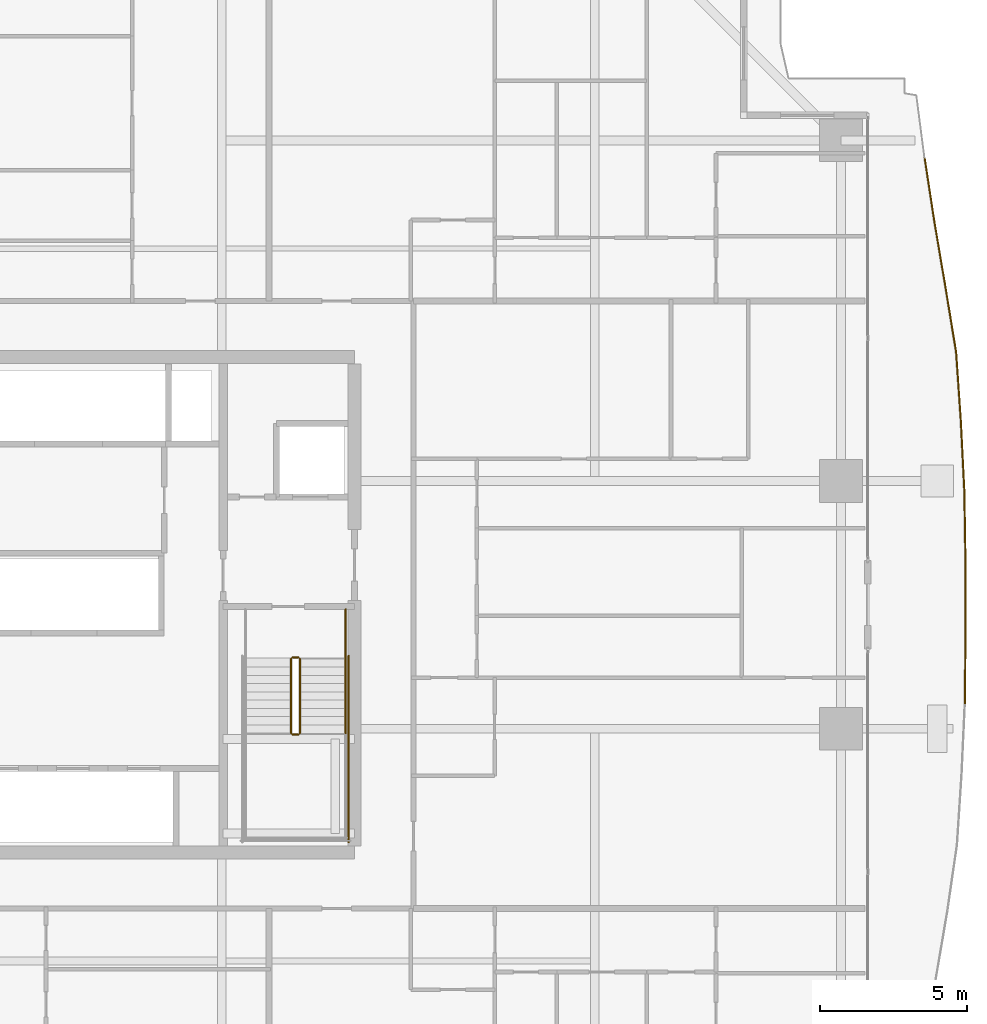
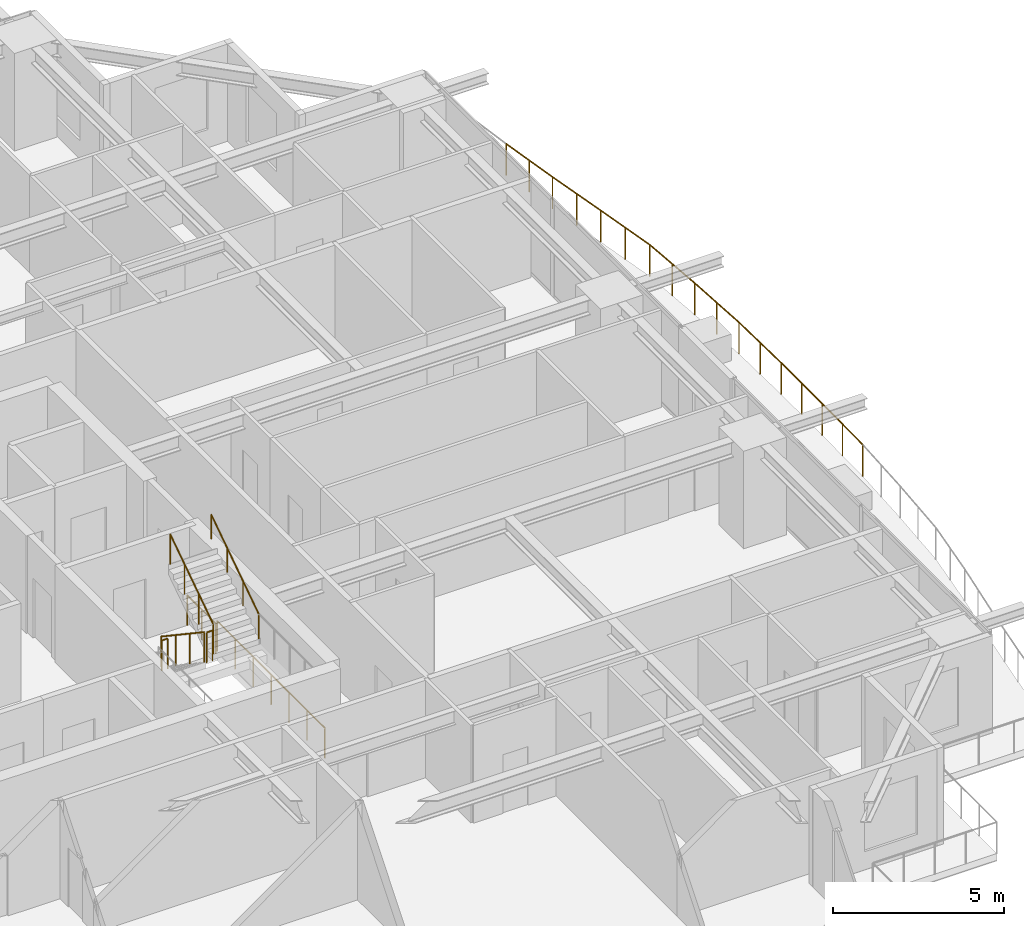
# One storey, part 37 of 38: 8 railings.
"""IFC4 building model written with IfcOpenShell, lengths in metres."""

from ifc_helpers import new_model, si_unit, direction, frame, origin, origin_2d, place, context, subcontext, project, spatial, circle, extrude, material, type_object, element, save


model = new_model("IFC4")

# Units and contexts
model_context = context("Model", 3, precision=1e-05, world=origin(), true_north=direction((0.0, 1.0)))
body_context = subcontext(model_context, "Body", "Model", "MODEL_VIEW")
ifc_project = project(units=[si_unit("LENGTHUNIT", "METRE"), si_unit("AREAUNIT", "SQUARE_METRE"), si_unit("VOLUMEUNIT", "CUBIC_METRE"), si_unit("PLANEANGLEUNIT", "RADIAN"), si_unit("MASSUNIT", "GRAM", prefix="KILO")], contexts=[model_context])

# Site, building, storey
site_placement = place(None, origin())
site = spatial("IfcSite", under=ifc_project, at=site_placement, CompositionType="ELEMENT")
building_placement = place(site_placement, origin())
building = spatial("IfcBuilding", under=site, at=building_placement, Name="Serunith Strait Residences", CompositionType="ELEMENT")
storey_placement = place(building_placement, frame((0.0, 0.0, 30.449951171875)))
storey = spatial("IfcBuildingStorey", under=building, at=storey_placement, Name="L06", CompositionType="ELEMENT", Elevation=30.449951171875)

# Railings
ifc_material_1 = material(Name="Stainless Steel & Laminated Glass Balustrade", Category="steel")
railing_type_1 = type_object("IfcRailingType", Name="RLG-BALC-1150", PredefinedType="BALUSTRADE", material=ifc_material_1)
railing_1_placement = place(storey_placement, frame((60.734375, 40.360107421875, -0.050048828125)))
element("IfcRailing", 1, at=railing_1_placement, inside=storey, type_object=railing_type_1, Name="L06 Swirling Balcony Perimeter Balustrade 5", PredefinedType="BALUSTRADE", context=body_context, shape_type="SweptSolid", body=[
    extrude(circle(Radius=0.02392578125, at=origin_2d()), frame((0.000244140625, -0.001953125, 1.1259765625), z_axis=(0.151129021549, -0.988514045851, 0.0), x_axis=(0.988514045851, 0.151129021549, 0.0)), (0.0, 0.0, 1.0), 2.17041015625),
    extrude(circle(Radius=0.02392578125, at=origin_2d()), frame((0.328857421875, -2.1513671875, 1.1259765625), z_axis=(0.166718403381, -0.986004550686, 0.0), x_axis=(0.986004550686, 0.166718403381, 0.0)), (0.0, 0.0, 1.0), 2.214599609375),
    extrude(circle(Radius=0.02392578125, at=origin_2d()), frame((0.69873046875, -4.3388671875, 1.1259765625), z_axis=(0.162069347028, -0.98677937086, 0.0), x_axis=(0.98677937086, 0.162069347028, 0.0)), (0.0, 0.0, 1.0), 2.273681640625),
    extrude(circle(Radius=0.02392578125, at=origin_2d()), frame((1.06787109375, -6.58642578125, 1.1259765625), z_axis=(0.068368362206, -0.997660146066, 0.0), x_axis=(0.997660146066, 0.068368362206, 0.0)), (0.0, 0.0, 1.0), 2.352783203125),
    extrude(circle(Radius=0.02392578125, at=origin_2d()), frame((1.228759765625, -8.937744140625, 1.1259765625), z_axis=(0.050141765794, -0.998742110519, 0.0), x_axis=(0.998742110519, 0.050141765794, 0.0)), (0.0, 0.0, 1.0), 2.3818359375),
    extrude(circle(Radius=0.02392578125, at=origin_2d()), frame((1.348388671875, -11.320556640625, 1.1259765625), z_axis=(0.015531121409, -0.99987938486, 0.0), x_axis=(0.99987938486, 0.015531121409, 0.0)), (0.0, 0.0, 1.0), 2.401123046875),
    extrude(circle(Radius=0.02392578125, at=origin_2d()), frame((1.3857421875, -13.725341796875, 1.1259765625), z_axis=(0.0, -1.0, 0.0), x_axis=(1.0, 0.0, 0.0)), (0.0, 0.0, 1.0), 2.40966796875),
    extrude(circle(Radius=0.02392578125, at=origin_2d()), frame((1.3857421875, -16.138916015625, 1.1259765625), z_axis=(-0.008518096796, -0.999963720355, 0.0), x_axis=(0.999963720355, -0.008518096796, 0.0)), (0.0, 0.0, 1.0), 2.403564453125),
    extrude(circle(Radius=0.02099609375, at=origin_2d()), origin(), (0.0, 0.0, 1.0), 1.099853515625),
    extrude(circle(Radius=0.02099609375, at=origin_2d()), frame((0.164306640625, -1.07470703125, 0.0)), (0.0, 0.0, 1.0), 1.099853515625),
    extrude(circle(Radius=0.02099609375, at=origin_2d()), frame((0.32861328125, -2.1494140625, 0.0)), (0.0, 0.0, 1.0), 1.099853515625),
    extrude(circle(Radius=0.02099609375, at=origin_2d()), frame((0.513671875, -3.2431640625, 0.0)), (0.0, 0.0, 1.0), 1.099853515625),
    extrude(circle(Radius=0.02099609375, at=origin_2d()), frame((0.698486328125, -4.3369140625, 0.0)), (0.0, 0.0, 1.0), 1.099853515625),
    extrude(circle(Radius=0.02099609375, at=origin_2d()), frame((0.883056640625, -5.460693359375, 0.0)), (0.0, 0.0, 1.0), 1.099853515625),
    extrude(circle(Radius=0.02099609375, at=origin_2d()), frame((1.067626953125, -6.58447265625, 0.0)), (0.0, 0.0, 1.0), 1.099853515625),
    extrude(circle(Radius=0.02099609375, at=origin_2d()), frame((1.148193359375, -7.76025390625, 0.0)), (0.0, 0.0, 1.0), 1.099853515625),
    extrude(circle(Radius=0.02099609375, at=origin_2d()), frame((1.228759765625, -8.935791015625, 0.0)), (0.0, 0.0, 1.0), 1.099853515625),
    extrude(circle(Radius=0.02099609375, at=origin_2d()), frame((1.28857421875, -10.127197265625, 0.0)), (0.0, 0.0, 1.0), 1.099853515625),
    extrude(circle(Radius=0.02099609375, at=origin_2d()), frame((1.348388671875, -11.318603515625, 0.0)), (0.0, 0.0, 1.0), 1.099853515625),
    extrude(circle(Radius=0.02099609375, at=origin_2d()), frame((1.3671875, -12.52099609375, 0.0)), (0.0, 0.0, 1.0), 1.099853515625),
    extrude(circle(Radius=0.02099609375, at=origin_2d()), frame((1.3857421875, -13.723388671875, 0.0)), (0.0, 0.0, 1.0), 1.099853515625),
    extrude(circle(Radius=0.02099609375, at=origin_2d()), frame((1.3857421875, -14.93017578125, 0.0)), (0.0, 0.0, 1.0), 1.099853515625),
    extrude(circle(Radius=0.02099609375, at=origin_2d()), frame((1.3857421875, -16.136962890625, 0.0)), (0.0, 0.0, 1.0), 1.099853515625),
    extrude(circle(Radius=0.02099609375, at=origin_2d()), frame((1.37548828125, -17.3408203125, 0.0)), (0.0, 0.0, 1.0), 1.099853515625),
    extrude(circle(Radius=0.02099609375, at=origin_2d()), frame((1.365234375, -18.54443359375, 0.0)), (0.0, 0.0, 1.0), 1.099853515625),
])
ifc_material_2 = material(Name="Brushed stainless steel 316L", Category="steel")
railing_type_2 = type_object("IfcRailingType", Name="RLG-STAIR-GUARD", PredefinedType="BALUSTRADE", material=ifc_material_2)
railing_2_placement = place(storey_placement, frame((39.25, 23.3701171875, 0.1875)))
element("IfcRailing", 2, at=railing_2_placement, inside=storey, type_object=railing_type_2, Name="L06 ST-2 stair guard 1", PredefinedType="BALUSTRADE", context=body_context, shape_type="SweptSolid", body=[
    extrude(circle(Radius=0.02392578125, at=origin_2d()), frame((0.0, -0.001708984375, 1.0771484375), z_axis=(0.0, -0.830909170722, 0.55640807867), x_axis=(1.0, 0.0, 0.0)), (0.0, 0.0, 1.0), 3.02880859375),
    extrude(circle(Radius=0.02099609375, at=origin_2d()), origin(), (0.0, 0.0, 1.0), 1.050048828125),
    extrude(circle(Radius=0.02099609375, at=origin_2d()), frame((0.0, -0.840087890625, 0.5625)), (0.0, 0.0, 1.0), 1.050048828125),
    extrude(circle(Radius=0.02099609375, at=origin_2d()), frame((0.0, -1.679931640625, 1.125)), (0.0, 0.0, 1.0), 1.050048828125),
    extrude(circle(Radius=0.02099609375, at=origin_2d()), frame((0.0, -2.52001953125, 1.6875)), (0.0, 0.0, 1.0), 1.050048828125),
])
railing_3_placement = place(storey_placement, frame((39.300048828125, 20.800048828125, 1.875)))
element("IfcRailing", 3, at=railing_3_placement, inside=storey, type_object=railing_type_2, Name="L06 ST-2 stair guard 2", PredefinedType="BALUSTRADE", context=body_context, shape_type="SweptSolid", body=[
    extrude(circle(Radius=0.02392578125, at=origin_2d()), frame((0.001953125, 0.0, 1.076171875), z_axis=(1.0, 0.0, 0.0), x_axis=(0.0, 1.0, 0.0)), (0.0, 0.0, 1.0), 0.196044921875),
    extrude(circle(Radius=0.02099609375, at=origin_2d()), origin(), (0.0, 0.0, 1.0), 1.050048828125),
    extrude(circle(Radius=0.02099609375, at=origin_2d()), frame((0.199951171875, 0.0, 0.0)), (0.0, 0.0, 1.0), 1.050048828125),
])
railing_4_placement = place(storey_placement, frame((39.550048828125, 20.85009765625, 2.0625)))
element("IfcRailing", 4, at=railing_4_placement, inside=storey, type_object=railing_type_2, Name="L06 ST-2 stair guard 6", PredefinedType="BALUSTRADE", context=body_context, shape_type="SweptSolid", body=[
    extrude(circle(Radius=0.02392578125, at=origin_2d()), frame((0.0, 0.001708984375, 1.0771484375), z_axis=(0.0, 0.830909170722, 0.55640807867), x_axis=(-1.0, 0.0, 0.0)), (0.0, 0.0, 1.0), 3.02880859375),
    extrude(circle(Radius=0.02099609375, at=origin_2d()), origin(), (0.0, 0.0, 1.0), 1.050048828125),
    extrude(circle(Radius=0.02099609375, at=origin_2d()), frame((0.0, 0.840087890625, 0.5625)), (0.0, 0.0, 1.0), 1.050048828125),
    extrude(circle(Radius=0.02099609375, at=origin_2d()), frame((0.0, 1.679931640625, 1.125)), (0.0, 0.0, 1.0), 1.050048828125),
    extrude(circle(Radius=0.02099609375, at=origin_2d()), frame((0.0, 2.52001953125, 1.6875)), (0.0, 0.0, 1.0), 1.050048828125),
])
railing_5_placement = place(storey_placement, frame((39.300048828125, 23.419921875, 0.0)))
element("IfcRailing", 5, at=railing_5_placement, inside=storey, type_object=railing_type_2, Name="L06 ST-2 stair guard 7", PredefinedType="BALUSTRADE", context=body_context, shape_type="SweptSolid", body=[
    extrude(circle(Radius=0.02392578125, at=origin_2d()), frame((0.001953125, 0.0, 1.076171875), z_axis=(1.0, 0.0, 0.0), x_axis=(0.0, 1.0, 0.0)), (0.0, 0.0, 1.0), 0.196044921875),
    extrude(circle(Radius=0.02099609375, at=origin_2d()), origin(), (0.0, 0.0, 1.0), 1.050048828125),
    extrude(circle(Radius=0.02099609375, at=origin_2d()), frame((0.199951171875, 0.0, 0.0)), (0.0, 0.0, 1.0), 1.050048828125),
])
railing_6_placement = place(storey_placement, frame((41.10009765625, 25.050048828125, 0.0)))
element("IfcRailing", 6, at=railing_6_placement, inside=storey, type_object=railing_type_2, Name="L06 ST-2 stair guard 9", PredefinedType="BALUSTRADE", context=body_context, shape_type="SweptSolid", body=[
    extrude(circle(Radius=0.02392578125, at=origin_2d()), frame((0.0, -0.001953125, 1.076171875), z_axis=(0.0, -1.0, 0.0), x_axis=(1.0, 0.0, 0.0)), (0.0, 0.0, 1.0), 1.676025390625),
    extrude(circle(Radius=0.02099609375, at=origin_2d()), origin(), (0.0, 0.0, 1.0), 1.050048828125),
    extrude(circle(Radius=0.02099609375, at=origin_2d()), frame((0.0, -0.83984375, 0.0)), (0.0, 0.0, 1.0), 1.050048828125),
    extrude(circle(Radius=0.02099609375, at=origin_2d()), frame((0.0, -1.679931640625, 0.0)), (0.0, 0.0, 1.0), 1.050048828125),
])
railing_7_placement = place(storey_placement, frame((41.199951171875, 23.469970703125, 0.0)))
element("IfcRailing", 7, at=railing_7_placement, inside=storey, type_object=railing_type_2, Name="L06 ST-2 stair guard 11", PredefinedType="BALUSTRADE", context=body_context, shape_type="SweptSolid", body=[
    extrude(circle(Radius=0.02392578125, at=origin_2d()), frame((0.0, -0.001953125, 1.076171875), z_axis=(0.0, -1.0, 0.0), x_axis=(1.0, 0.0, 0.0)), (0.0, 0.0, 1.0), 6.316162109375),
    extrude(circle(Radius=0.02099609375, at=origin_2d()), origin(), (0.0, 0.0, 1.0), 1.050048828125),
    extrude(circle(Radius=0.02099609375, at=origin_2d()), frame((0.0, -1.05322265625, 0.0)), (0.0, 0.0, 1.0), 1.050048828125),
    extrude(circle(Radius=0.02099609375, at=origin_2d()), frame((0.0, -2.106689453125, 0.0)), (0.0, 0.0, 1.0), 1.050048828125),
    extrude(circle(Radius=0.02099609375, at=origin_2d()), frame((0.0, -3.16015625, 0.0)), (0.0, 0.0, 1.0), 1.050048828125),
    extrude(circle(Radius=0.02099609375, at=origin_2d()), frame((0.0, -4.21337890625, 0.0)), (0.0, 0.0, 1.0), 1.050048828125),
    extrude(circle(Radius=0.02099609375, at=origin_2d()), frame((0.0, -5.2666015625, 0.0)), (0.0, 0.0, 1.0), 1.050048828125),
    extrude(circle(Radius=0.02099609375, at=origin_2d()), frame((0.0, -6.320068359375, 0.0)), (0.0, 0.0, 1.0), 1.050048828125),
])
railing_type_3 = type_object("IfcRailingType", Name="RLG-STAIR-HR", PredefinedType="HANDRAIL", material=ifc_material_2)
railing_8_placement = place(storey_placement, frame((41.10009765625, 20.85009765625, 2.0625)))
element("IfcRailing", 8, at=railing_8_placement, inside=storey, type_object=railing_type_3, Name="L06 ST-2 stair handrail 2", PredefinedType="HANDRAIL", context=body_context, shape_type="SweptSolid", body=[
    extrude(circle(Radius=0.02392578125, at=origin_2d()), frame((0.0, 0.001708984375, 0.876953125), z_axis=(0.0, 0.830185712471, 0.557486935101), x_axis=(-1.0, 0.0, 0.0)), (0.0, 0.0, 1.0), 3.368408203125),
    extrude(circle(Radius=0.02099609375, at=origin_2d()), origin(), (0.0, 0.0, 1.0), 0.849853515625),
    extrude(circle(Radius=0.02099609375, at=origin_2d()), frame((0.0, 0.933349609375, 0.626708984375)), (0.0, 0.0, 1.0), 0.849853515625),
    extrude(circle(Radius=0.02099609375, at=origin_2d()), frame((0.0, 1.866455078125, 1.25341796875)), (0.0, 0.0, 1.0), 0.849853515625),
    extrude(circle(Radius=0.02099609375, at=origin_2d()), frame((0.0, 2.7998046875, 1.880126953125)), (0.0, 0.0, 1.0), 0.849853515625),
])

save(model, "model.ifc")
